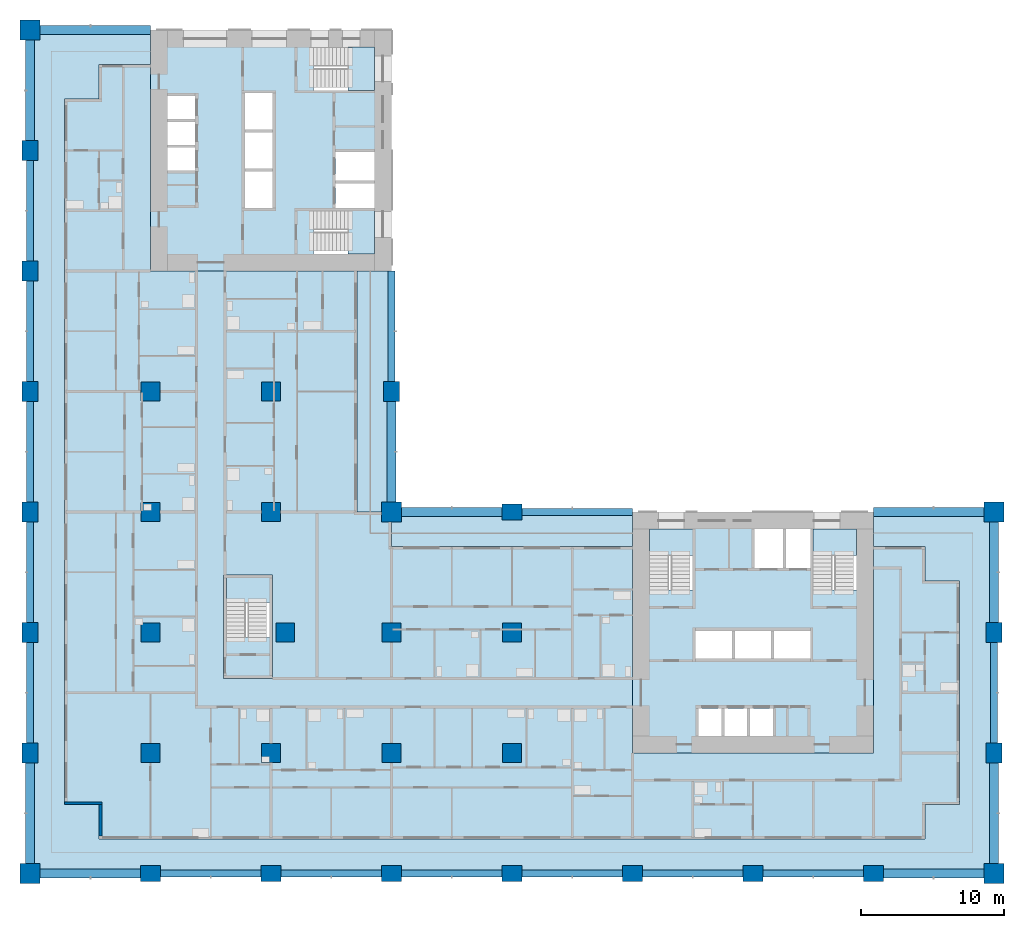
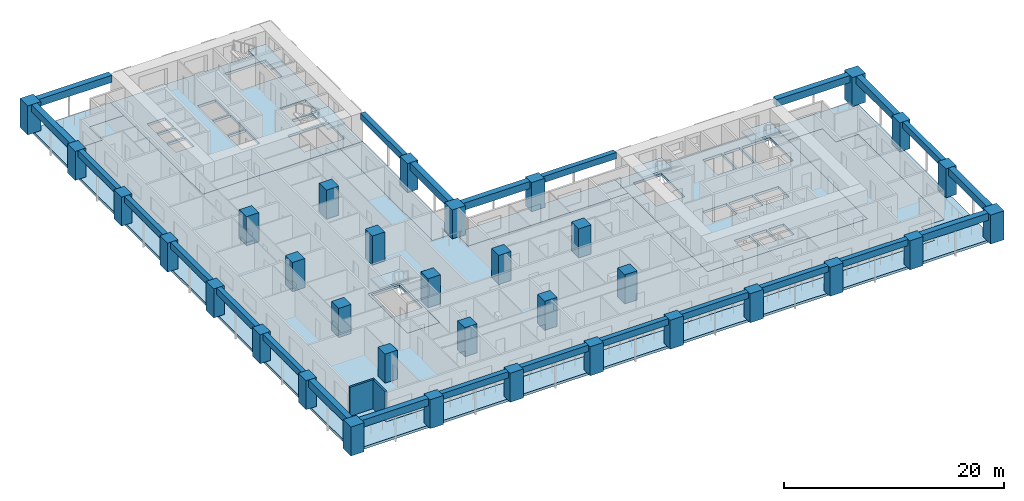
# One storey, part 1 of 19: 34 columns, 24 beams, 12 slabs, 2 walls, 5 elements without a shape of their own.
"""IFC4 building model written with IfcOpenShell, lengths in metres."""

from ifc_helpers import new_model, si_unit, direction, frame, frame_2d, origin, origin_2d, place, context, subcontext, project, spatial, polyline, rectangle, outline, extrude, material, layer, layer_set, material_profile, profile_set, type_object, element, aggregate, save


model = new_model("IFC4")

# Units and contexts
model_context = context("Model", 3, precision=1e-05, world=origin(), true_north=direction((0.0, 1.0)))
body_context = subcontext(model_context, "Body", "Model", "MODEL_VIEW")
ifc_project = project(units=[si_unit("LENGTHUNIT", "METRE"), si_unit("AREAUNIT", "SQUARE_METRE"), si_unit("VOLUMEUNIT", "CUBIC_METRE"), si_unit("PLANEANGLEUNIT", "RADIAN"), si_unit("MASSUNIT", "GRAM", prefix="KILO")], contexts=[model_context])

# Site, building, storey
site_placement = place(None, origin())
site = spatial("IfcSite", under=ifc_project, at=site_placement, CompositionType="ELEMENT")
building_placement = place(site_placement, origin())
building = spatial("IfcBuilding", under=site, at=building_placement, Name="Vermilion Gate Residences", CompositionType="ELEMENT")
storey_placement = place(building_placement, frame((0.0, 0.0, 53.199951171875)))
storey = spatial("IfcBuildingStorey", under=building, at=storey_placement, Name="L12", CompositionType="ELEMENT", Elevation=53.199951171875)

# Columns
ifc_material_1 = material(Name="Concrete C80", Category="concrete")
ifc_material_profile_1 = material_profile(ifc_material_1, rectangle(XDim=1.300048828125, YDim=1.300048828125, at=origin_2d()), Name="RC-1300x1300")
ifc_profile_set_1 = profile_set([ifc_material_profile_1], Name="Concrete C80")
column_type_1 = type_object("IfcColumnType", Name="RC COLUMN 1300 X 1300 C80", PredefinedType="COLUMN", material=ifc_profile_set_1)
for number, where, z_axis, x_axis, name in (
    (1, (8.39990234375, 8.39990234375, 0.0), (0.0, 0.0, 1.0), (1.0, 0.0, 0.0), "Column 2-B L12"),
    (2, (8.39990234375, 16.800048828125, 0.0), (0.0, 0.0, 1.0), (1.0, 0.0, 0.0), "Column 2-C L12"),
    (3, (8.39990234375, 25.199951171875, 0.0), (0.0, 0.0, 1.0), (1.0, 0.0, 0.0), "Column 2-D L12"),
    (4, (8.39990234375, 33.60009765625, 0.0), (0.0, 0.0, 1.0), (1.0, 0.0, 0.0), "Column 2-E L12"),
    (5, (16.800048828125, 8.39990234375, 0.0), (0.0, 0.0, 1.0), (1.0, 0.0, 0.0), "Column 3-B L12"),
    (6, (17.800048828125, 16.800048828125, 0.0), (0.0, 0.0, 1.0), (1.0, 0.0, 0.0), "Column 3-C L12"),
    (7, (16.800048828125, 25.199951171875, 0.0), (0.0, 0.0, 1.0), (1.0, 0.0, 0.0), "Column 3-D L12"),
    (8, (16.800048828125, 33.60009765625, 0.0), (0.0, 0.0, 1.0), (1.0, 0.0, 0.0), "Column 3-E L12"),
    (9, (25.199951171875, 8.39990234375, 0.0), (0.0, 0.0, 1.0), (1.0, 0.0, 0.0), "Column 4-B L12"),
    (10, (25.199951171875, 16.800048828125, 0.0), (0.0, 0.0, 1.0), (1.0, 0.0, 0.0), "Column 4-C L12"),
    (11, (33.60009765625, 8.39990234375, 0.0), (0.0, 0.0, 1.0), (1.0, 0.0, 0.0), "Column 5-B L12"),
    (12, (33.60009765625, 16.800048828125, 0.0), (0.0, 0.0, 1.0), (1.0, 0.0, 0.0), "Column 5-C L12"),
):
    element("IfcColumn", number, at=place(storey_placement, frame(where, z_axis=z_axis, x_axis=x_axis)), inside=storey, type_object=column_type_1, Name=name, PredefinedType="COLUMN", context=body_context, shape_type="SweptSolid", body=[
        extrude(rectangle(XDim=1.300048828125, YDim=1.300048828125, at=origin_2d()), origin(), (0.0, 0.0, 1.0), 3.219970703125),
    ])
ifc_material_2 = material(Name="Concrete C80", Category="concrete")
ifc_material_profile_2 = material_profile(ifc_material_2, rectangle(XDim=1.39990234375, YDim=1.10009765625, at=origin_2d()), Name="RC-1400x1100")
ifc_profile_set_2 = profile_set([ifc_material_profile_2], Name="Concrete C80")
column_type_2 = type_object("IfcColumnType", Name="RC COLUMN 1400 X 1100 C80", PredefinedType="COLUMN", material=ifc_profile_set_2)
for number, where, z_axis, x_axis, name in (
    (13, (0.0, 8.39990234375, 0.0), (0.0, 0.0, 1.0), (0.0, 1.0, 0.0), "Column 1-B L12"),
    (14, (0.0, 16.800048828125, 0.0), (0.0, 0.0, 1.0), (0.0, 1.0, 0.0), "Column 1-C L12"),
    (15, (0.0, 25.199951171875, 0.0), (0.0, 0.0, 1.0), (0.0, 1.0, 0.0), "Column 1-D L12"),
    (16, (0.0, 33.60009765625, 0.0), (0.0, 0.0, 1.0), (0.0, 1.0, 0.0), "Column 1-E L12"),
    (17, (0.0, 42.0, 0.0), (0.0, 0.0, 1.0), (0.0, 1.0, 0.0), "Column 1-F L12"),
    (18, (0.0, 50.39990234375, 0.0), (0.0, 0.0, 1.0), (0.0, 1.0, 0.0), "Column 1-G L12"),
    (19, (8.39990234375, 0.0, 0.0), (0.0, 0.0, 1.0), (1.0, 0.0, 0.0), "Column 2-A L12"),
    (20, (16.800048828125, 0.0, 0.0), (0.0, 0.0, 1.0), (1.0, 0.0, 0.0), "Column 3-A L12"),
    (21, (25.199951171875, 0.0, 0.0), (0.0, 0.0, 1.0), (1.0, 0.0, 0.0), "Column 4-A L12"),
    (22, (25.199951171875, 33.60009765625, 0.0), (0.0, 0.0, 1.0), (0.0, 1.0, 0.0), "Column 4-E L12"),
    (23, (33.60009765625, 0.0, 0.0), (0.0, 0.0, 1.0), (1.0, 0.0, 0.0), "Column 5-A L12"),
    (24, (33.60009765625, 25.199951171875, 0.0), (0.0, 0.0, 1.0), (1.0, 0.0, 0.0), "Column 5-D L12"),
    (25, (42.0, 0.0, 0.0), (0.0, 0.0, 1.0), (1.0, 0.0, 0.0), "Column 6-A L12"),
    (26, (50.39990234375, 0.0, 0.0), (0.0, 0.0, 1.0), (1.0, 0.0, 0.0), "Column 7-A L12"),
    (27, (58.800048828125, 0.0, 0.0), (0.0, 0.0, 1.0), (1.0, 0.0, 0.0), "Column 8-A L12"),
    (28, (67.199951171875, 8.39990234375, 0.0), (0.0, 0.0, 1.0), (0.0, 1.0, 0.0), "Column 9-B L12"),
    (29, (67.199951171875, 16.800048828125, 0.0), (0.0, 0.0, 1.0), (0.0, 1.0, 0.0), "Column 9-C L12"),
):
    element("IfcColumn", number, at=place(storey_placement, frame(where, z_axis=z_axis, x_axis=x_axis)), inside=storey, type_object=column_type_2, Name=name, PredefinedType="COLUMN", context=body_context, shape_type="SweptSolid", body=[
        extrude(rectangle(XDim=1.39990234375, YDim=1.10009765625, at=origin_2d()), origin(), (0.0, 0.0, 1.0), 3.219970703125),
    ])
ifc_material_3 = material(Name="Concrete C80", Category="concrete")
ifc_material_profile_3 = material_profile(ifc_material_3, rectangle(XDim=1.39990234375, YDim=1.39990234375, at=origin_2d()), Name="RC-1400x1400")
ifc_profile_set_3 = profile_set([ifc_material_profile_3], Name="Concrete C80")
column_type_3 = type_object("IfcColumnType", Name="RC COLUMN 1400 X 1400 C80", PredefinedType="COLUMN", material=ifc_profile_set_3)
for number, where, z_axis, x_axis, name in (
    (30, (0.0, 0.0, 0.0), (0.0, 0.0, 1.0), (1.0, 0.0, 0.0), "Column 1-A L12"),
    (31, (0.0, 58.800048828125, 0.0), (0.0, 0.0, 1.0), (1.0, 0.0, 0.0), "Column 1-H L12"),
    (32, (25.199951171875, 25.199951171875, 0.0), (0.0, 0.0, 1.0), (1.0, 0.0, 0.0), "Column 4-D L12"),
    (33, (67.199951171875, 0.0, 0.0), (0.0, 0.0, 1.0), (1.0, 0.0, 0.0), "Column 9-A L12"),
    (34, (67.199951171875, 25.199951171875, 0.0), (0.0, 0.0, 1.0), (1.0, 0.0, 0.0), "Column 9-D L12"),
):
    element("IfcColumn", number, at=place(storey_placement, frame(where, z_axis=z_axis, x_axis=x_axis)), inside=storey, type_object=column_type_3, Name=name, PredefinedType="COLUMN", context=body_context, shape_type="SweptSolid", body=[
        extrude(rectangle(XDim=1.39990234375, YDim=1.39990234375, at=origin_2d()), origin(), (0.0, 0.0, 1.0), 3.219970703125),
    ])

# Beams
ifc_material_4 = material(Name="Concrete C60 red-oxide pigmented", Category="concrete")
ifc_material_profile_4 = material_profile(ifc_material_4, rectangle(XDim=0.60009765625, YDim=0.800048828125, at=origin_2d()), Name="RC-600x800")
ifc_profile_set_4 = profile_set([ifc_material_profile_4], Name="Concrete C60 red-oxide pigmented")
beam_type_1 = type_object("IfcBeamType", Name="RC CORNER EDGE BEAM 600 X 800 C60", PredefinedType="BEAM", material=ifc_profile_set_4)
for number, where, z_axis, x_axis, name in (
    (35, (0.699951171875, 0.0, 2.820068359375), (1.0, 0.0, 0.0), (0.0, 1.0, 0.0), "Corner edge beam L12 1"),
    (36, (0.0, 0.699951171875, 2.820068359375), (0.0, 1.0, 0.0), (-1.0, 0.0, 0.0), "Corner edge beam L12 2"),
):
    element("IfcBeam", number, at=place(storey_placement, frame(where, z_axis=z_axis, x_axis=x_axis)), inside=storey, type_object=beam_type_1, Name=name, PredefinedType="BEAM", context=body_context, shape_type="SweptSolid", body=[
        extrude(rectangle(XDim=0.60009765625, YDim=0.800048828125, at=origin_2d()), origin(), (0.0, 0.0, 1.0), 7.0),
    ])
beam_1_placement = place(storey_placement, frame((0.699951171875, 58.800048828125, 2.820068359375), z_axis=(1.0, 0.0, 0.0), x_axis=(0.0, 1.0, 0.0)))
element("IfcBeam", 37, at=beam_1_placement, inside=storey, type_object=beam_type_1, Name="Corner edge beam L12 8", PredefinedType="BEAM", context=body_context, shape_type="SweptSolid", body=[
    extrude(rectangle(XDim=0.60009765625, YDim=0.800048828125, at=origin_2d()), origin(), (0.0, 0.0, 1.0), 7.699951171875),
])
for number, where, z_axis, x_axis, name in (
    (38, (0.0, 51.10009765625, 2.820068359375), (0.0, 1.0, 0.0), (-1.0, 0.0, 0.0), "Corner edge beam L12 9"),
    (39, (25.199951171875, 25.89990234375, 2.820068359375), (0.0, 1.0, 0.0), (-1.0, 0.0, 0.0), "Corner edge beam L12 12"),
    (40, (25.89990234375, 25.199951171875, 2.820068359375), (1.0, 0.0, 0.0), (0.0, 1.0, 0.0), "Corner edge beam L12 15"),
    (41, (59.5, 0.0, 2.820068359375), (1.0, 0.0, 0.0), (0.0, 1.0, 0.0), "Corner edge beam L12 20"),
    (42, (67.199951171875, 0.699951171875, 2.820068359375), (0.0, 1.0, 0.0), (-1.0, 0.0, 0.0), "Corner edge beam L12 21"),
    (43, (67.199951171875, 17.5, 2.820068359375), (0.0, 1.0, 0.0), (-1.0, 0.0, 0.0), "Corner edge beam L12 23"),
):
    element("IfcBeam", number, at=place(storey_placement, frame(where, z_axis=z_axis, x_axis=x_axis)), inside=storey, type_object=beam_type_1, Name=name, PredefinedType="BEAM", context=body_context, shape_type="SweptSolid", body=[
        extrude(rectangle(XDim=0.60009765625, YDim=0.800048828125, at=origin_2d()), origin(), (0.0, 0.0, 1.0), 7.0),
    ])
beam_2_placement = place(storey_placement, frame((58.800048828125, 25.199951171875, 2.820068359375), z_axis=(1.0, 0.0, 0.0), x_axis=(0.0, 1.0, 0.0)))
element("IfcBeam", 44, at=beam_2_placement, inside=storey, type_object=beam_type_1, Name="Corner edge beam L12 24", PredefinedType="BEAM", context=body_context, shape_type="SweptSolid", body=[
    extrude(rectangle(XDim=0.60009765625, YDim=0.800048828125, at=origin_2d()), origin(), (0.0, 0.0, 1.0), 7.699951171875),
])
ifc_material_5 = material(Name="Concrete C60 red-oxide pigmented", Category="concrete")
ifc_material_profile_5 = material_profile(ifc_material_5, rectangle(XDim=0.5, YDim=0.699951171875, at=origin_2d()), Name="RC-500x700")
ifc_profile_set_5 = profile_set([ifc_material_profile_5], Name="Concrete C60 red-oxide pigmented")
beam_type_2 = type_object("IfcBeamType", Name="RC EDGE BEAM 500 X 700 C60", PredefinedType="BEAM", material=ifc_profile_set_5)
for number, where, z_axis, x_axis, name in (
    (45, (0.0, 9.10009765625, 2.8701171875), (0.0, 1.0, 0.0), (-1.0, 0.0, 0.0), "Edge beam L12 3"),
    (46, (0.0, 17.5, 2.8701171875), (0.0, 1.0, 0.0), (-1.0, 0.0, 0.0), "Edge beam L12 4"),
    (47, (0.0, 25.89990234375, 2.8701171875), (0.0, 1.0, 0.0), (-1.0, 0.0, 0.0), "Edge beam L12 5"),
    (48, (0.0, 34.300048828125, 2.8701171875), (0.0, 1.0, 0.0), (-1.0, 0.0, 0.0), "Edge beam L12 6"),
    (49, (0.0, 42.699951171875, 2.8701171875), (0.0, 1.0, 0.0), (-1.0, 0.0, 0.0), "Edge beam L12 7"),
    (50, (9.10009765625, 0.0, 2.8701171875), (1.0, 0.0, 0.0), (0.0, 1.0, 0.0), "Edge beam L12 10"),
    (51, (17.5, 0.0, 2.8701171875), (1.0, 0.0, 0.0), (0.0, 1.0, 0.0), "Edge beam L12 11"),
):
    element("IfcBeam", number, at=place(storey_placement, frame(where, z_axis=z_axis, x_axis=x_axis)), inside=storey, type_object=beam_type_2, Name=name, PredefinedType="BEAM", context=body_context, shape_type="SweptSolid", body=[
        extrude(rectangle(XDim=0.5, YDim=0.699951171875, at=origin_2d()), origin(), (0.0, 0.0, 1.0), 7.0),
    ])
beam_3_placement = place(storey_placement, frame((25.199951171875, 34.300048828125, 2.8701171875), z_axis=(0.0, 1.0, 0.0), x_axis=(-1.0, 0.0, 0.0)))
element("IfcBeam", 52, at=beam_3_placement, inside=storey, type_object=beam_type_2, Name="Edge beam L12 13", PredefinedType="BEAM", context=body_context, shape_type="SweptSolid", body=[
    extrude(rectangle(XDim=0.5, YDim=0.699951171875, at=origin_2d()), origin(), (0.0, 0.0, 1.0), 7.699951171875),
])
for number, where, z_axis, x_axis, name in (
    (53, (25.89990234375, 0.0, 2.8701171875), (1.0, 0.0, 0.0), (0.0, 1.0, 0.0), "Edge beam L12 14"),
    (54, (34.300048828125, 0.0, 2.8701171875), (1.0, 0.0, 0.0), (0.0, 1.0, 0.0), "Edge beam L12 16"),
):
    element("IfcBeam", number, at=place(storey_placement, frame(where, z_axis=z_axis, x_axis=x_axis)), inside=storey, type_object=beam_type_2, Name=name, PredefinedType="BEAM", context=body_context, shape_type="SweptSolid", body=[
        extrude(rectangle(XDim=0.5, YDim=0.699951171875, at=origin_2d()), origin(), (0.0, 0.0, 1.0), 7.0),
    ])
beam_4_placement = place(storey_placement, frame((34.300048828125, 25.199951171875, 2.8701171875), z_axis=(1.0, 0.0, 0.0), x_axis=(0.0, 1.0, 0.0)))
element("IfcBeam", 55, at=beam_4_placement, inside=storey, type_object=beam_type_2, Name="Edge beam L12 17", PredefinedType="BEAM", context=body_context, shape_type="SweptSolid", body=[
    extrude(rectangle(XDim=0.5, YDim=0.699951171875, at=origin_2d()), origin(), (0.0, 0.0, 1.0), 7.699951171875),
])
for number, where, z_axis, x_axis, name in (
    (56, (42.699951171875, 0.0, 2.8701171875), (1.0, 0.0, 0.0), (0.0, 1.0, 0.0), "Edge beam L12 18"),
    (57, (51.10009765625, 0.0, 2.8701171875), (1.0, 0.0, 0.0), (0.0, 1.0, 0.0), "Edge beam L12 19"),
    (58, (67.199951171875, 9.10009765625, 2.8701171875), (0.0, 1.0, 0.0), (-1.0, 0.0, 0.0), "Edge beam L12 22"),
):
    element("IfcBeam", number, at=place(storey_placement, frame(where, z_axis=z_axis, x_axis=x_axis)), inside=storey, type_object=beam_type_2, Name=name, PredefinedType="BEAM", context=body_context, shape_type="SweptSolid", body=[
        extrude(rectangle(XDim=0.5, YDim=0.699951171875, at=origin_2d()), origin(), (0.0, 0.0, 1.0), 7.0),
    ])

# Slabs
ifc_material_6 = material(Name="Concrete C50", Category="concrete")
ifc_layer_1 = layer(ifc_material_6, 0.280029296875)
ifc_layer_set_1 = layer_set([ifc_layer_1], Name="RC CORE FLOOR SLAB 280 C50")
slab_type_1 = type_object("IfcSlabType", Name="RC CORE FLOOR SLAB 280 C50", PredefinedType="FLOOR", material=ifc_layer_set_1)
slab_1_placement = place(storey_placement, frame((0.0, 0.0, -0.280029296875)))
element("IfcSlab", 59, at=slab_1_placement, inside=storey, type_object=slab_type_1, Name="Core floor slab A12", PredefinedType="FLOOR", context=body_context, shape_type="SweptSolid", body=[
    extrude(outline(polyline([(42.0, 8.39990234375), (58.800048828125, 8.39990234375), (58.800048828125, 25.199951171875), (42.0, 25.199951171875), (42.0, 8.39990234375)]), holes=[polyline([(46.60009765625, 11.5), (48.199951171875, 11.5), (48.199951171875, 9.60009765625), (46.60009765625, 9.60009765625), (46.60009765625, 11.5)]), polyline([(48.39990234375, 11.5), (50.0, 11.5), (50.0, 9.60009765625), (48.39990234375, 9.60009765625), (48.39990234375, 11.5)]), polyline([(50.199951171875, 11.5), (51.800048828125, 11.5), (51.800048828125, 9.60009765625), (50.199951171875, 9.60009765625), (50.199951171875, 11.5)]), polyline([(48.933349609375, 16.89990234375), (48.933349609375, 15.0), (46.39990234375, 15.0), (46.39990234375, 16.89990234375), (48.933349609375, 16.89990234375)]), polyline([(51.666748046875, 16.89990234375), (51.666748046875, 15.0), (49.13330078125, 15.0), (49.13330078125, 16.89990234375), (51.666748046875, 16.89990234375)]), polyline([(51.86669921875, 16.89990234375), (54.39990234375, 16.89990234375), (54.39990234375, 15.0), (51.86669921875, 15.0), (51.86669921875, 16.89990234375)]), polyline([(43.199951171875, 24.0), (46.199951171875, 24.0), (46.199951171875, 19.75), (43.199951171875, 19.75), (43.199951171875, 24.0)]), polyline([(54.60009765625, 24.0), (57.60009765625, 24.0), (57.60009765625, 19.75), (54.60009765625, 19.75), (54.60009765625, 24.0)]), polyline([(52.5, 24.0), (52.5, 21.300048828125), (50.5, 21.300048828125), (50.5, 24.0), (52.5, 24.0)]), polyline([(54.39990234375, 24.0), (54.39990234375, 21.300048828125), (52.699951171875, 21.300048828125), (52.699951171875, 24.0), (54.39990234375, 24.0)])]), origin(), (0.0, 0.0, 1.0), 0.280029296875),
])
slab_2_placement = place(storey_placement, frame((0.0, 0.0, -0.280029296875)))
element("IfcSlab", 60, at=slab_2_placement, inside=storey, type_object=slab_type_1, Name="Core floor slab B12", PredefinedType="FLOOR", context=body_context, shape_type="SweptSolid", body=[
    extrude(outline(polyline([(8.39990234375, 42.0), (25.199951171875, 42.0), (25.199951171875, 58.800048828125), (8.39990234375, 58.800048828125), (8.39990234375, 42.0)]), holes=[polyline([(19.75, 46.199951171875), (24.0, 46.199951171875), (24.0, 43.199951171875), (19.75, 43.199951171875), (19.75, 46.199951171875)]), polyline([(21.300048828125, 48.10009765625), (24.0, 48.10009765625), (24.0, 46.39990234375), (21.300048828125, 46.39990234375), (21.300048828125, 48.10009765625)]), polyline([(15.0, 48.933349609375), (16.89990234375, 48.933349609375), (16.89990234375, 46.39990234375), (15.0, 46.39990234375), (15.0, 48.933349609375)]), polyline([(24.0, 50.300048828125), (24.0, 48.300048828125), (21.300048828125, 48.300048828125), (21.300048828125, 50.300048828125), (24.0, 50.300048828125)]), polyline([(11.5, 50.60009765625), (11.5, 49.0), (9.60009765625, 49.0), (9.60009765625, 50.60009765625), (11.5, 50.60009765625)]), polyline([(15.0, 51.666748046875), (16.89990234375, 51.666748046875), (16.89990234375, 49.13330078125), (15.0, 49.13330078125), (15.0, 51.666748046875)]), polyline([(9.60009765625, 52.39990234375), (11.5, 52.39990234375), (11.5, 50.800048828125), (9.60009765625, 50.800048828125), (9.60009765625, 52.39990234375)]), polyline([(15.0, 54.39990234375), (16.89990234375, 54.39990234375), (16.89990234375, 51.86669921875), (15.0, 51.86669921875), (15.0, 54.39990234375)]), polyline([(11.5, 54.199951171875), (11.5, 52.60009765625), (9.60009765625, 52.60009765625), (9.60009765625, 54.199951171875), (11.5, 54.199951171875)]), polyline([(24.0, 57.60009765625), (24.0, 54.60009765625), (19.75, 54.60009765625), (19.75, 57.60009765625), (24.0, 57.60009765625)])]), origin(), (0.0, 0.0, 1.0), 0.280029296875),
])
slab_3_placement = place(storey_placement, frame((0.0, 0.0, -0.280029296875)))
element("IfcSlab", 61, at=slab_3_placement, inside=storey, type_object=slab_type_1, Name="Apex stair floor slab 12", PredefinedType="FLOOR", context=body_context, shape_type="SweptSolid", body=[
    extrude(outline(polyline([(13.5, 13.60009765625), (16.89990234375, 13.60009765625), (16.89990234375, 20.800048828125), (13.5, 20.800048828125), (13.5, 13.60009765625)]), holes=[polyline([(16.699951171875, 20.60009765625), (16.699951171875, 16.449951171875), (13.699951171875, 16.449951171875), (13.699951171875, 20.60009765625), (16.699951171875, 20.60009765625)])]), origin(), (0.0, 0.0, 1.0), 0.280029296875),
])
ifc_material_7 = material(Name="Concrete C50", Category="concrete")
ifc_layer_2 = layer(ifc_material_7, 0.280029296875)
ifc_layer_set_2 = layer_set([ifc_layer_2], Name="RC FLAT PLATE 280 C50")
slab_type_2 = type_object("IfcSlabType", Name="RC FLAT PLATE 280 C50", PredefinedType="FLOOR", material=ifc_layer_set_2)
slab_4_placement = place(storey_placement, frame((0.0, 0.0, -0.280029296875)))
element("IfcSlab", 62, at=slab_4_placement, inside=storey, type_object=slab_type_2, Name="Floor slab L12", PredefinedType="FLOOR", context=body_context, shape_type="SweptSolid", body=[
    extrude(outline(polyline([(22.800048828125, 25.199951171875), (22.800048828125, 42.0), (8.39990234375, 42.0), (8.39990234375, 56.39990234375), (4.800048828125, 56.39990234375), (4.800048828125, 54.0), (2.39990234375, 54.0), (2.39990234375, 4.800048828125), (4.800048828125, 4.800048828125), (4.800048828125, 2.39990234375), (62.39990234375, 2.39990234375), (62.39990234375, 4.800048828125), (64.800048828125, 4.800048828125), (64.800048828125, 20.39990234375), (62.39990234375, 20.39990234375), (62.39990234375, 22.800048828125), (58.800048828125, 22.800048828125), (58.800048828125, 8.39990234375), (42.0, 8.39990234375), (42.0, 22.800048828125), (25.199951171875, 22.800048828125), (25.199951171875, 25.199951171875), (22.800048828125, 25.199951171875)]), holes=[polyline([(13.5, 13.60009765625), (13.5, 20.800048828125), (16.89990234375, 20.800048828125), (16.89990234375, 13.60009765625), (13.5, 13.60009765625)])]), origin(), (0.0, 0.0, 1.0), 0.280029296875),
])
ifc_material_8 = material(Name="Concrete C50 red-oxide pigmented", Category="concrete")
ifc_layer_3 = layer(ifc_material_8, 0.280029296875)
ifc_layer_set_3 = layer_set([ifc_layer_3], Name="RC LOGGIA SLAB 280 C50")
slab_type_3 = type_object("IfcSlabType", Name="RC LOGGIA SLAB 280 C50", PredefinedType="FLOOR", material=ifc_layer_set_3)
slab_5_placement = place(storey_placement, frame((0.0, 0.0, -0.280029296875)))
element("IfcSlab", 63, at=slab_5_placement, inside=storey, type_object=slab_type_3, Name="Loggia slab L12", PredefinedType="FLOOR", context=body_context, shape_type="SweptSolid", body=[
    extrude(outline(polyline([(0.0, 58.800048828125), (0.0, 0.0), (67.199951171875, 0.0), (67.199951171875, 25.199951171875), (58.800048828125, 25.199951171875), (58.800048828125, 22.800048828125), (62.39990234375, 22.800048828125), (62.39990234375, 20.39990234375), (64.800048828125, 20.39990234375), (64.800048828125, 4.800048828125), (62.39990234375, 4.800048828125), (62.39990234375, 2.39990234375), (4.800048828125, 2.39990234375), (4.800048828125, 4.800048828125), (2.39990234375, 4.800048828125), (2.39990234375, 54.0), (4.800048828125, 54.0), (4.800048828125, 56.39990234375), (8.39990234375, 56.39990234375), (8.39990234375, 58.800048828125), (0.0, 58.800048828125)])), origin(), (0.0, 0.0, 1.0), 0.280029296875),
])
slab_6_placement = place(storey_placement, frame((0.0, 0.0, -0.280029296875)))
element("IfcSlab", 64, at=slab_6_placement, inside=storey, type_object=slab_type_3, Name="Loggia slab L12", PredefinedType="FLOOR", context=body_context, shape_type="SweptSolid", body=[
    extrude(outline(polyline([(25.199951171875, 22.800048828125), (42.0, 22.800048828125), (42.0, 25.199951171875), (25.199951171875, 25.199951171875), (25.199951171875, 22.800048828125)])), origin(), (0.0, 0.0, 1.0), 0.280029296875),
])
slab_7_placement = place(storey_placement, frame((0.0, 0.0, -0.280029296875)))
element("IfcSlab", 65, at=slab_7_placement, inside=storey, type_object=slab_type_3, Name="Loggia slab L12", PredefinedType="FLOOR", context=body_context, shape_type="SweptSolid", body=[
    extrude(outline(polyline([(22.800048828125, 42.0), (22.800048828125, 25.199951171875), (25.199951171875, 25.199951171875), (25.199951171875, 42.0), (22.800048828125, 42.0)])), origin(), (0.0, 0.0, 1.0), 0.280029296875),
])

# Stair, slab
ifc_material_9 = material(Name="Concrete C50", Category="concrete")
stair_type = type_object("IfcStairType", Name="SPECIAL ESCAPE STAIR 1300", PredefinedType="HALF_TURN_STAIR", material=ifc_material_9)
stair_1_placement = place(storey_placement, origin())
stair_1 = element("IfcStair", 66, at=stair_1_placement, inside=storey, type_object=stair_type, Name="Special escape stair STA1-12", PredefinedType="HALF_TURN_STAIR")
ifc_material_10 = material(Name="Concrete C50", Category="concrete")
ifc_layer_4 = layer(ifc_material_10, 0.199951171875)
ifc_layer_set_4 = layer_set([ifc_layer_4], Name="STAIR LANDING 200 C50")
slab_type_4 = type_object("IfcSlabType", Name="STAIR LANDING 200 C50", PredefinedType="LANDING", material=ifc_layer_set_4)
slab_8_placement = place(storey_placement, frame((0.0, 0.0, 1.550048828125)))
slab_8 = element("IfcSlab", 67, at=slab_8_placement, type_object=slab_type_4, Name="STA1-12 landing 1", PredefinedType="LANDING", context=body_context, shape_type="SweptSolid", body=[
    extrude(outline(polyline([(46.219970703125, 22.179931640625), (46.219970703125, 24.02001953125), (43.179931640625, 24.02001953125), (43.179931640625, 22.179931640625), (46.219970703125, 22.179931640625)])), origin(), (0.0, 0.0, 1.0), 0.199951171875),
])
aggregate(stair_1, [slab_8])

stair_2_placement = place(storey_placement, origin())
stair_2 = element("IfcStair", 68, at=stair_2_placement, inside=storey, type_object=stair_type, Name="Special escape stair STA2-12", PredefinedType="HALF_TURN_STAIR")
slab_9_placement = place(storey_placement, frame((0.0, 0.0, 1.550048828125)))
slab_9 = element("IfcSlab", 69, at=slab_9_placement, type_object=slab_type_4, Name="STA2-12 landing 1", PredefinedType="LANDING", context=body_context, shape_type="SweptSolid", body=[
    extrude(outline(polyline([(57.6201171875, 22.179931640625), (57.6201171875, 24.02001953125), (54.580078125, 24.02001953125), (54.580078125, 22.179931640625), (57.6201171875, 22.179931640625)])), origin(), (0.0, 0.0, 1.0), 0.199951171875),
])
aggregate(stair_2, [slab_9])

stair_3_placement = place(storey_placement, origin())
stair_3 = element("IfcStair", 70, at=stair_3_placement, inside=storey, type_object=stair_type, Name="Special escape stair STB1-12", PredefinedType="HALF_TURN_STAIR")
slab_10_placement = place(storey_placement, frame((0.0, 0.0, 1.550048828125)))
slab_10 = element("IfcSlab", 71, at=slab_10_placement, type_object=slab_type_4, Name="STB1-12 landing 1", PredefinedType="LANDING", context=body_context, shape_type="SweptSolid", body=[
    extrude(outline(polyline([(24.02001953125, 54.580078125), (24.02001953125, 57.6201171875), (22.179931640625, 57.6201171875), (22.179931640625, 54.580078125), (24.02001953125, 54.580078125)])), origin(), (0.0, 0.0, 1.0), 0.199951171875),
])
aggregate(stair_3, [slab_10])

stair_4_placement = place(storey_placement, origin())
stair_4 = element("IfcStair", 72, at=stair_4_placement, inside=storey, type_object=stair_type, Name="Special escape stair STB2-12", PredefinedType="HALF_TURN_STAIR")
slab_11_placement = place(storey_placement, frame((0.0, 0.0, 1.550048828125)))
slab_11 = element("IfcSlab", 73, at=slab_11_placement, type_object=slab_type_4, Name="STB2-12 landing 1", PredefinedType="LANDING", context=body_context, shape_type="SweptSolid", body=[
    extrude(outline(polyline([(24.02001953125, 43.179931640625), (24.02001953125, 46.219970703125), (22.179931640625, 46.219970703125), (22.179931640625, 43.179931640625), (24.02001953125, 43.179931640625)])), origin(), (0.0, 0.0, 1.0), 0.199951171875),
])
aggregate(stair_4, [slab_11])

stair_5_placement = place(storey_placement, origin())
stair_5 = element("IfcStair", 74, at=stair_5_placement, inside=storey, type_object=stair_type, Name="Special escape stair STC1-12", PredefinedType="HALF_TURN_STAIR")
slab_12_placement = place(storey_placement, frame((0.0, 0.0, 1.550048828125)))
slab_12 = element("IfcSlab", 75, at=slab_12_placement, type_object=slab_type_4, Name="STC1-12 landing 1", PredefinedType="LANDING", context=body_context, shape_type="SweptSolid", body=[
    extrude(outline(polyline([(16.719970703125, 18.8798828125), (16.719970703125, 20.6201171875), (13.679931640625, 20.6201171875), (13.679931640625, 18.8798828125), (16.719970703125, 18.8798828125)])), origin(), (0.0, 0.0, 1.0), 0.199951171875),
])
aggregate(stair_5, [slab_12])

# Walls
ifc_material_11 = material(Name="Insulated steel stud wall with terracotta rainscreen", Category="masonry")
ifc_layer_5 = layer(ifc_material_11, 0.199951171875)
ifc_layer_set_5 = layer_set([ifc_layer_5], Name="EXTERNAL WALL 200 TERRACOTTA RAINSCREEN")
wall_type = type_object("IfcWallType", Name="EXTERNAL WALL 200 TERRACOTTA RAINSCREEN", PredefinedType="SOLIDWALL", material=ifc_layer_set_5)
wall_1_placement = place(storey_placement, frame((2.39990234375, 4.89990234375, 0.0), z_axis=(0.0, 0.0, 1.0), x_axis=(1.0, 0.0, 0.0)))
element("IfcWall", 76, at=wall_1_placement, inside=storey, type_object=wall_type, Name="External wall", PredefinedType="SOLIDWALL", context=body_context, shape_type="SweptSolid", body=[
    extrude(rectangle(XDim=2.60009765625, YDim=0.199951171875, at=frame_2d((1.300048828125, 0.0))), origin(), (0.0, 0.0, 1.0), 3.219970703125),
])
wall_2_placement = place(storey_placement, frame((4.89990234375, 4.800048828125, 0.0), z_axis=(0.0, 0.0, 1.0), x_axis=(0.0, -1.0, 0.0)))
element("IfcWall", 77, at=wall_2_placement, inside=storey, type_object=wall_type, Name="External wall", PredefinedType="SOLIDWALL", context=body_context, shape_type="SweptSolid", body=[
    extrude(rectangle(XDim=2.199951171875, YDim=0.199951171875, at=frame_2d((1.10009765625, 0.0))), origin(), (0.0, 0.0, 1.0), 3.219970703125),
])

save(model, "model.ifc")
